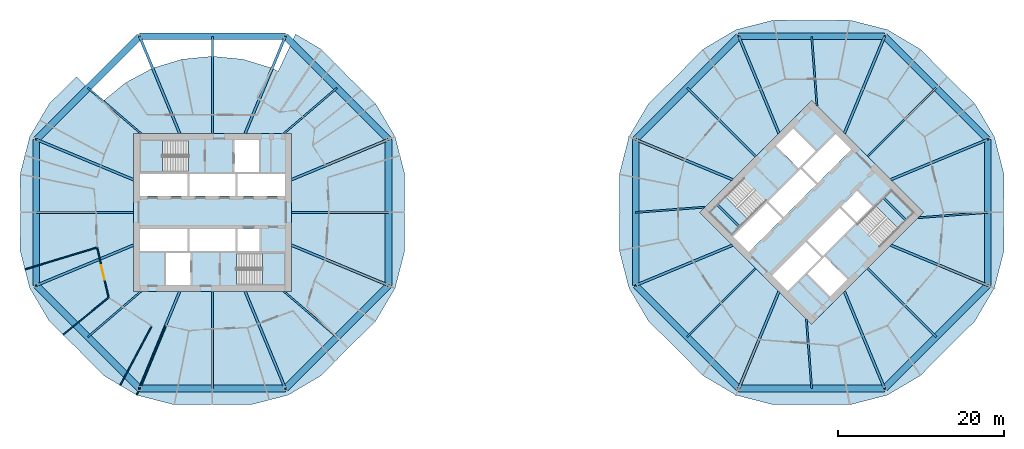
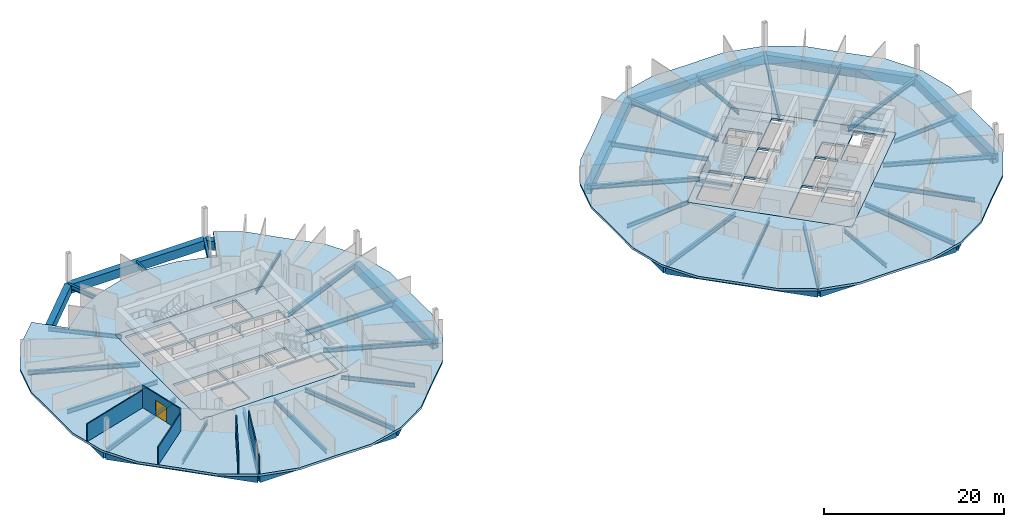
# One storey, part 3 of 10: 50 beams, 8 slabs, 5 walls, 1 door, 1 opening, 4 elements without a shape of their own.
"""IFC4 building model written with IfcOpenShell, lengths in metres."""

from ifc_helpers import new_model, si_unit, direction, frame, frame_2d, origin, origin_2d, place, context, subcontext, project, spatial, polyline, rectangle, hollow_rectangle, i_section, outline, extrude, material, layer, layer_set, material_profile, profile_set, type_object, element, fill, aggregate, save


model = new_model("IFC4")

# Units and contexts
model_context = context("Model", 3, precision=1e-05, world=origin(), true_north=direction((0.0, 1.0)))
body_context = subcontext(model_context, "Body", "Model", "MODEL_VIEW")
ifc_project = project(units=[si_unit("LENGTHUNIT", "METRE"), si_unit("AREAUNIT", "SQUARE_METRE"), si_unit("VOLUMEUNIT", "CUBIC_METRE"), si_unit("PLANEANGLEUNIT", "RADIAN"), si_unit("MASSUNIT", "GRAM", prefix="KILO")], contexts=[model_context])

# Site, building, storey
site_placement = place(None, origin())
site = spatial("IfcSite", under=ifc_project, at=site_placement, CompositionType="ELEMENT")
building_placement = place(site_placement, origin())
building = spatial("IfcBuilding", under=site, at=building_placement, Name="Ogive Gate Towers", CompositionType="ELEMENT")
storey_placement = place(building_placement, frame((0.0, 0.0, 59.699951171875)))
storey = spatial("IfcBuildingStorey", under=building, at=storey_placement, Name="L13", CompositionType="ELEMENT", Elevation=59.699951171875)

# Beams
ifc_material_1 = material(Name="Steel SM460", Category="steel")
ifc_material_profile_1 = material_profile(ifc_material_1, hollow_rectangle(XDim=0.800048828125, YDim=1.199951171875, WallThickness=0.050048828125, at=origin_2d()), Name="BX 1200x800x50")
ifc_profile_set_1 = profile_set([ifc_material_profile_1], Name="Steel SM460")
beam_type_1 = type_object("IfcBeamType", Name="Edge girder BX 1200x800x50", PredefinedType="BEAM", material=ifc_profile_set_1)
for number, where, z_axis, x_axis, name in (
    (1, (-57.15673828125, -8.763427734375, -0.89990234375), (0.707106781187, -0.707106781187, 0.0), (0.707106781187, 0.707106781187, 0.0), "T1/L13/SBM017"),
    (2, (-44.763427734375, -21.15673828125, -0.89990234375), (1.0, 0.0, 0.0), (0.0, 1.0, 0.0), "T1/L13/SBM018"),
    (3, (-27.236572265625, -21.15673828125, -0.89990234375), (0.707106781187, 0.707106781187, 0.0), (-0.707106781187, 0.707106781187, 0.0), "T1/L13/SBM019"),
    (4, (-14.84326171875, -8.763427734375, -0.89990234375), (0.0, 1.0, 0.0), (-1.0, 0.0, 0.0), "T1/L13/SBM020"),
    (5, (-14.84326171875, 8.763427734375, -0.89990234375), (-0.707106781187, 0.707106781187, 0.0), (-0.707106781187, -0.707106781187, 0.0), "T1/L13/SBM021"),
    (6, (-27.236572265625, 21.15673828125, -0.89990234375), (-1.0, 0.0, 0.0), (0.0, -1.0, 0.0), "T1/L13/SBM022"),
    (7, (-44.763427734375, 21.15673828125, -0.89990234375), (-0.707106781187, -0.707106781187, 0.0), (0.707106781187, -0.707106781187, 0.0), "T1/L13/SBM023"),
    (8, (-57.15673828125, 8.763427734375, -0.89990234375), (0.0, -1.0, 0.0), (1.0, 0.0, 0.0), "T1/L13/SBM024"),
    (9, (14.84326171875, -8.763427734375, -0.89990234375), (0.707106781187, -0.707106781187, 0.0), (0.707106781187, 0.707106781187, 0.0), "T2/L13/SBM017"),
    (10, (27.236572265625, -21.15673828125, -0.89990234375), (1.0, 0.0, 0.0), (0.0, 1.0, 0.0), "T2/L13/SBM018"),
    (11, (44.763427734375, -21.15673828125, -0.89990234375), (0.707106781187, 0.707106781187, 0.0), (-0.707106781187, 0.707106781187, 0.0), "T2/L13/SBM019"),
    (12, (57.15673828125, -8.763427734375, -0.89990234375), (0.0, 1.0, 0.0), (-1.0, 0.0, 0.0), "T2/L13/SBM020"),
    (13, (57.15673828125, 8.763427734375, -0.89990234375), (-0.707106781187, 0.707106781187, 0.0), (-0.707106781187, -0.707106781187, 0.0), "T2/L13/SBM021"),
    (14, (44.763427734375, 21.15673828125, -0.89990234375), (-1.0, 0.0, 0.0), (0.0, -1.0, 0.0), "T2/L13/SBM022"),
    (15, (27.236572265625, 21.15673828125, -0.89990234375), (-0.707106781187, -0.707106781187, 0.0), (0.707106781187, -0.707106781187, 0.0), "T2/L13/SBM023"),
    (16, (14.84326171875, 8.763427734375, -0.89990234375), (0.0, -1.0, 0.0), (1.0, 0.0, 0.0), "T2/L13/SBM024"),
):
    element("IfcBeam", number, at=place(storey_placement, frame(where, z_axis=z_axis, x_axis=x_axis)), inside=storey, type_object=beam_type_1, Name=name, PredefinedType="BEAM", context=body_context, shape_type="SweptSolid", body=[
        extrude(hollow_rectangle(XDim=0.800048828125, YDim=1.199951171875, WallThickness=0.050048828125, at=origin_2d()), origin(), (0.0, 0.0, 1.0), 17.52685546875),
    ])
ifc_material_2 = material(Name="Concrete C40/50", Category="concrete")
ifc_material_profile_2 = material_profile(ifc_material_2, rectangle(XDim=0.25, YDim=0.300048828125, at=origin_2d()), Name="RC 250x300")
ifc_profile_set_2 = profile_set([ifc_material_profile_2], Name="Concrete C40/50")
beam_type_2 = type_object("IfcBeamType", Name="Landing bearer RC 250x300", PredefinedType="BEAM", material=ifc_profile_set_2)
for number, where, z_axis, x_axis, name in (
    (17, (24.650390625, 0.9541015625, 1.60009765625), (0.707106781187, -0.707106781187, 0.0), (0.707106781187, 0.707106781187, 0.0), "T2 L13 stair 1 landing bearer 1"),
    (18, (47.349609375, -0.9541015625, 1.60009765625), (-0.707106781187, 0.707106781187, 0.0), (-0.707106781187, -0.707106781187, 0.0), "T2 L13 stair 2 landing bearer 1"),
):
    element("IfcBeam", number, at=place(storey_placement, frame(where, z_axis=z_axis, x_axis=x_axis)), inside=storey, type_object=beam_type_2, Name=name, PredefinedType="BEAM", context=body_context, shape_type="SweptSolid", body=[
        extrude(rectangle(XDim=0.25, YDim=0.300048828125, at=origin_2d()), origin(), (0.0, 0.0, 1.0), 3.824951171875),
    ])
ifc_material_3 = material(Name="Steel SM355", Category="steel")
ifc_material_profile_3 = material_profile(ifc_material_3, i_section(OverallWidth=0.300048828125, OverallDepth=0.590087890625, WebThickness=0.012939453125, FlangeThickness=0.02490234375, FilletRadius=0.027099609375, at=origin_2d()), Name="HE 600 A")
ifc_profile_set_3 = profile_set([ifc_material_profile_3], Name="Steel SM355")
beam_type_3 = type_object("IfcBeamType", Name="Radial floor beam HE 600 A", PredefinedType="BEAM", material=ifc_profile_set_3)
for number, where, z_axis, x_axis, name in (
    (19, (-45.5, -3.93505859375, -0.594970703125), (-0.923879811284, -0.382682759347, 0.0), (0.382682759347, -0.923879811284, 0.0), "T1/L13/SBM001"),
    (20, (-39.93505859375, -9.5, -0.594970703125), (-0.382682759347, -0.923879811284, 0.0), (0.923879811284, -0.382682759347, 0.0), "T1/L13/SBM003"),
    (21, (-32.06494140625, -9.5, -0.594970703125), (0.382682759347, -0.923879811284, 0.0), (0.923879811284, 0.382682759347, 0.0), "T1/L13/SBM005"),
    (22, (-26.5, -3.93505859375, -0.594970703125), (0.923879811284, -0.382682759347, 0.0), (0.382682759347, 0.923879811284, 0.0), "T1/L13/SBM007"),
    (23, (-26.5, 3.93505859375, -0.594970703125), (0.923879811284, 0.382682759347, 0.0), (-0.382682759347, 0.923879811284, 0.0), "T1/L13/SBM009"),
    (24, (-32.06494140625, 9.5, -0.594970703125), (0.382682759347, 0.923879811284, 0.0), (-0.923879811284, 0.382682759347, 0.0), "T1/L13/SBM011"),
    (25, (-39.93505859375, 9.5, -0.594970703125), (-0.382682759347, 0.923879811284, 0.0), (-0.923879811284, -0.382682759347, 0.0), "T1/L13/SBM013"),
    (26, (-45.5, 3.93505859375, -0.594970703125), (-0.923879811284, 0.382682759347, 0.0), (-0.382682759347, -0.923879811284, 0.0), "T1/L13/SBM015"),
    (27, (26.5, -3.93505859375, -0.594970703125), (-0.923879811284, -0.382682759347, 0.0), (0.382682759347, -0.923879811284, 0.0), "T2/L13/SBM001"),
    (28, (32.06494140625, -9.5, -0.594970703125), (-0.382682759347, -0.923879811284, 0.0), (0.923879811284, -0.382682759347, 0.0), "T2/L13/SBM003"),
    (29, (39.93505859375, -9.5, -0.594970703125), (0.382682759347, -0.923879811284, 0.0), (0.923879811284, 0.382682759347, 0.0), "T2/L13/SBM005"),
    (30, (45.5, -3.93505859375, -0.594970703125), (0.923879811284, -0.382682759347, 0.0), (0.382682759347, 0.923879811284, 0.0), "T2/L13/SBM007"),
    (31, (45.5, 3.93505859375, -0.594970703125), (0.923879811284, 0.382682759347, 0.0), (-0.382682759347, 0.923879811284, 0.0), "T2/L13/SBM009"),
    (32, (39.93505859375, 9.5, -0.594970703125), (0.382682759347, 0.923879811284, 0.0), (-0.923879811284, 0.382682759347, 0.0), "T2/L13/SBM011"),
    (33, (32.06494140625, 9.5, -0.594970703125), (-0.382682759347, 0.923879811284, 0.0), (-0.923879811284, -0.382682759347, 0.0), "T2/L13/SBM013"),
    (34, (26.5, 3.93505859375, -0.594970703125), (-0.923879811284, 0.382682759347, 0.0), (-0.382682759347, -0.923879811284, 0.0), "T2/L13/SBM015"),
):
    element("IfcBeam", number, at=place(storey_placement, frame(where, z_axis=z_axis, x_axis=x_axis)), inside=storey, type_object=beam_type_3, Name=name, PredefinedType="BEAM", context=body_context, shape_type="SweptSolid", body=[
        extrude(i_section(OverallWidth=0.300048828125, OverallDepth=0.590087890625, WebThickness=0.012939453125, FlangeThickness=0.02490234375, FilletRadius=0.027099609375, at=origin_2d()), origin(), (0.0, 0.0, 1.0), 12.6171875),
    ])
ifc_material_profile_4 = material_profile(ifc_material_3, i_section(OverallWidth=0.2099609375, OverallDepth=0.550048828125, WebThickness=0.010986328125, FlangeThickness=0.01708984375, FilletRadius=0.02392578125, at=origin_2d()), Name="IPE 550")
ifc_profile_set_4 = profile_set([ifc_material_profile_4], Name="Steel SM355")
beam_type_4 = type_object("IfcBeamType", Name="Radial floor beam IPE 550", PredefinedType="BEAM", material=ifc_profile_set_4)
for number, where, z_axis, x_axis, name in (
    (35, (-44.60009765625, -9.5, -0.574951171875), (-0.75874444664, -0.651388413078, 0.0), (0.651388413078, -0.75874444664, 0.0), "T1/L13/SBM002"),
    (36, (-27.39990234375, -9.5, -0.574951171875), (0.75874444664, -0.651388413078, 0.0), (0.651388413078, 0.75874444664, 0.0), "T1/L13/SBM006"),
    (37, (-27.39990234375, 9.5, -0.574951171875), (0.75874444664, 0.651388413078, 0.0), (-0.651388413078, 0.75874444664, 0.0), "T1/L13/SBM010"),
    (38, (-44.60009765625, 9.5, -0.574951171875), (-0.75874444664, 0.651388413078, 0.0), (-0.651388413078, -0.75874444664, 0.0), "T1/L13/SBM014"),
    (39, (35.363525390625, -12.798583984375, -0.574951171875), (0.075930303007, -0.997113127526, 0.0), (0.997113127526, 0.075930303007, 0.0), "T2/L13/SBM004"),
    (40, (48.798583984375, -0.636474609375, -0.574951171875), (0.997113127526, 0.075930303007, 0.0), (-0.075930303007, 0.997113127526, 0.0), "T2/L13/SBM008"),
    (41, (36.636474609375, 12.798583984375, -0.574951171875), (-0.075930303007, 0.997113127526, 0.0), (-0.997113127526, -0.075930303007, 0.0), "T2/L13/SBM012"),
    (42, (23.201416015625, 0.636474609375, -0.574951171875), (-0.997113127526, -0.075930303007, 0.0), (0.075930303007, -0.997113127526, 0.0), "T2/L13/SBM016"),
):
    element("IfcBeam", number, at=place(storey_placement, frame(where, z_axis=z_axis, x_axis=x_axis)), inside=storey, type_object=beam_type_4, Name=name, PredefinedType="BEAM", context=body_context, shape_type="SweptSolid", body=[
        extrude(i_section(OverallWidth=0.2099609375, OverallDepth=0.550048828125, WebThickness=0.010986328125, FlangeThickness=0.01708984375, FilletRadius=0.02392578125, at=origin_2d()), origin(), (0.0, 0.0, 1.0), 8.38232421875),
    ])
ifc_material_profile_5 = material_profile(ifc_material_3, i_section(OverallWidth=0.219970703125, OverallDepth=0.60009765625, WebThickness=0.011962890625, FlangeThickness=0.01904296875, FilletRadius=0.02392578125, at=origin_2d()), Name="IPE 600")
ifc_profile_set_5 = profile_set([ifc_material_profile_5], Name="Steel SM355")
beam_type_5 = type_object("IfcBeamType", Name="Radial floor beam IPE 600", PredefinedType="BEAM", material=ifc_profile_set_5)
for number, where, z_axis, x_axis, name in (
    (43, (-36.0, -9.5, -0.599853515625), (0.0, -1.0, 0.0), (1.0, 0.0, 0.0), "T1/L13/SBM004"),
    (44, (-26.5, 0.0, -0.599853515625), (1.0, 0.0, 0.0), (0.0, 1.0, 0.0), "T1/L13/SBM008"),
    (45, (-36.0, 9.5, -0.599853515625), (0.0, 1.0, 0.0), (-1.0, 0.0, 0.0), "T1/L13/SBM012"),
    (46, (-45.5, 0.0, -0.599853515625), (-1.0, 0.0, 0.0), (0.0, -1.0, 0.0), "T1/L13/SBM016"),
):
    element("IfcBeam", number, at=place(storey_placement, frame(where, z_axis=z_axis, x_axis=x_axis)), inside=storey, type_object=beam_type_5, Name=name, PredefinedType="BEAM", context=body_context, shape_type="SweptSolid", body=[
        extrude(i_section(OverallWidth=0.219970703125, OverallDepth=0.60009765625, WebThickness=0.011962890625, FlangeThickness=0.01904296875, FilletRadius=0.02392578125, at=origin_2d()), origin(), (0.0, 0.0, 1.0), 11.65673828125),
    ])
for number, where, z_axis, x_axis, name in (
    (47, (29.282470703125, -6.717529296875, -0.599853515625), (-0.707106781187, -0.707106781187, 0.0), (0.707106781187, -0.707106781187, 0.0), "T2/L13/SBM002"),
    (48, (42.717529296875, -6.717529296875, -0.599853515625), (0.707106781187, -0.707106781187, 0.0), (0.707106781187, 0.707106781187, 0.0), "T2/L13/SBM006"),
    (49, (42.717529296875, 6.717529296875, -0.599853515625), (0.707106781187, 0.707106781187, 0.0), (-0.707106781187, 0.707106781187, 0.0), "T2/L13/SBM010"),
    (50, (29.282470703125, 6.717529296875, -0.599853515625), (-0.707106781187, 0.707106781187, 0.0), (-0.707106781187, -0.707106781187, 0.0), "T2/L13/SBM014"),
):
    element("IfcBeam", number, at=place(storey_placement, frame(where, z_axis=z_axis, x_axis=x_axis)), inside=storey, type_object=beam_type_5, Name=name, PredefinedType="BEAM", context=body_context, shape_type="SweptSolid", body=[
        extrude(i_section(OverallWidth=0.219970703125, OverallDepth=0.60009765625, WebThickness=0.011962890625, FlangeThickness=0.01904296875, FilletRadius=0.02392578125, at=origin_2d()), origin(), (0.0, 0.0, 1.0), 11.656982421875),
    ])

# Slabs
ifc_layer_1 = layer(ifc_material_2, 0.300048828125)
ifc_layer_set_1 = layer_set([ifc_layer_1], Name="Core slab C40/50 300 mm")
slab_type_1 = type_object("IfcSlabType", Name="Core slab C40/50 300 mm", PredefinedType="FLOOR", material=ifc_layer_set_1)
slab_1_placement = place(storey_placement, frame((0.0, 0.0, -0.300048828125)))
element("IfcSlab", 51, at=slab_1_placement, inside=storey, type_object=slab_type_1, Name="T1 L13 core slab", PredefinedType="FLOOR", context=body_context, shape_type="SweptSolid", body=[
    extrude(outline(polyline([(-26.5, 9.5), (-26.5, -9.5), (-45.5, -9.5), (-45.5, 9.5), (-26.5, 9.5)]), holes=[polyline([(-39.02490234375, 4.625), (-44.699951171875, 4.625), (-44.699951171875, 2.0), (-39.02490234375, 2.0), (-39.02490234375, 4.625)]), polyline([(-33.22509765625, 2.0), (-33.22509765625, 4.625), (-38.77490234375, 4.625), (-38.77490234375, 2.0), (-33.22509765625, 2.0)]), polyline([(-32.97509765625, 2.0), (-27.300048828125, 2.0), (-27.300048828125, 4.625), (-32.97509765625, 4.625), (-32.97509765625, 2.0)]), polyline([(-44.699951171875, -2.0), (-44.699951171875, -4.625), (-39.02490234375, -4.625), (-39.02490234375, -2.0), (-44.699951171875, -2.0)]), polyline([(-33.22509765625, -2.0), (-38.77490234375, -2.0), (-38.77490234375, -4.625), (-33.22509765625, -4.625), (-33.22509765625, -2.0)]), polyline([(-30.324951171875, -4.625), (-30.324951171875, -2.0), (-32.97509765625, -2.0), (-32.97509765625, -4.625), (-30.324951171875, -4.625)]), polyline([(-33.375, 4.875), (-30.425048828125, 4.875), (-30.425048828125, 8.699951171875), (-33.375, 8.699951171875), (-33.375, 4.875)]), polyline([(-41.574951171875, -4.875), (-41.574951171875, -8.699951171875), (-38.625, -8.699951171875), (-38.625, -4.875), (-41.574951171875, -4.875)]), polyline([(-44.699951171875, 4.875), (-38.885009765625, 4.875), (-38.885009765625, 8.699951171875), (-44.699951171875, 8.699951171875), (-44.699951171875, 4.875)]), polyline([(-27.300048828125, -8.699951171875), (-27.300048828125, -4.875), (-33.114990234375, -4.875), (-33.114990234375, -8.699951171875), (-27.300048828125, -8.699951171875)])]), origin(), (0.0, 0.0, 1.0), 0.300048828125),
])
slab_2_placement = place(storey_placement, frame((0.0, 0.0, -0.300048828125)))
element("IfcSlab", 52, at=slab_2_placement, inside=storey, type_object=slab_type_1, Name="T2 L13 core slab", PredefinedType="FLOOR", context=body_context, shape_type="SweptSolid", body=[
    extrude(outline(polyline([(36.0, 13.43505859375), (49.43505859375, 0.0), (36.0, -13.43505859375), (22.56494140625, 0.0), (36.0, 13.43505859375)]), holes=[polyline([(30.590576171875, 1.13134765625), (26.577880859375, -2.881591796875), (28.43408203125, -4.737548828125), (32.44677734375, -0.724853515625), (30.590576171875, 1.13134765625)]), polyline([(36.548095703125, 3.37646484375), (34.69189453125, 5.232666015625), (30.767333984375, 1.30810546875), (32.62353515625, -0.548095703125), (36.548095703125, 3.37646484375)]), polyline([(36.724853515625, 3.55322265625), (40.737548828125, 7.56591796875), (38.881591796875, 9.422119140625), (34.86865234375, 5.409423828125), (36.724853515625, 3.55322265625)]), polyline([(31.262451171875, -7.56591796875), (33.118408203125, -9.422119140625), (37.13134765625, -5.409423828125), (35.275146484375, -3.55322265625), (31.262451171875, -7.56591796875)]), polyline([(39.37646484375, 0.548095703125), (35.451904296875, -3.37646484375), (37.30810546875, -5.232666015625), (41.232666015625, -1.30810546875), (39.37646484375, 0.548095703125)]), polyline([(43.283203125, 0.742431640625), (41.427001953125, 2.5986328125), (39.55322265625, 0.724853515625), (41.409423828125, -1.13134765625), (43.283203125, 0.742431640625)]), polyline([(34.408935546875, 5.30322265625), (36.4951171875, 7.389404296875), (33.790283203125, 10.093994140625), (31.704345703125, 8.008056640625), (34.408935546875, 5.30322265625)]), polyline([(35.5048828125, -7.389404296875), (38.209716796875, -10.093994140625), (40.295654296875, -8.008056640625), (37.591064453125, -5.30322265625), (35.5048828125, -7.389404296875)]), polyline([(26.40087890625, -2.70458984375), (30.512939453125, 1.406982421875), (27.80810546875, 4.11181640625), (23.6962890625, 0.0), (26.40087890625, -2.70458984375)]), polyline([(48.3037109375, 0.0), (45.59912109375, 2.70458984375), (41.487060546875, -1.406982421875), (44.19189453125, -4.11181640625), (48.3037109375, 0.0)])]), origin(), (0.0, 0.0, 1.0), 0.300048828125),
])
ifc_material_4 = material(Name="Concrete C35/45", Category="concrete")
ifc_layer_2 = layer(ifc_material_4, 0.300048828125)
ifc_layer_set_2 = layer_set([ifc_layer_2], Name="Floor slab 300")
slab_type_2 = type_object("IfcSlabType", Name="Floor slab 300", PredefinedType="FLOOR", material=ifc_layer_set_2)
slab_3_placement = place(storey_placement, frame((0.0, 0.0, -0.300048828125)))
element("IfcSlab", 53, at=slab_3_placement, inside=storey, type_object=slab_type_2, Name="T1/L13/SSL001", PredefinedType="FLOOR", context=body_context, shape_type="SweptSolid", body=[
    extrude(outline(polyline([(-19.694091796875, 16.305908203125), (-22.91064453125, 19.58935546875), (-26.907470703125, 21.951416015625), (-26.010986328125, 21.421630859375), (-28.09814453125, 16.945556640625), (-28.82080078125, 17.33203125), (-32.340087890625, 18.3994140625), (-36.0, 18.760009765625), (-39.659912109375, 18.3994140625), (-43.17919921875, 17.33203125), (-46.422607421875, 15.598388671875), (-49.265380859375, 13.265380859375), (-52.305908203125, 16.305908203125), (-55.58935546875, 13.08935546875), (-57.951416015625, 9.092529296875), (-59.107421875, 4.596435546875), (-59.06005859375, 0.0), (-59.107421875, -4.596435546875), (-57.951416015625, -9.092529296875), (-55.58935546875, -13.08935546875), (-52.305908203125, -16.305908203125), (-49.08935546875, -19.58935546875), (-45.092529296875, -21.951416015625), (-40.596435546875, -23.107421875), (-36.0, -23.06005859375), (-31.403564453125, -23.107421875), (-26.907470703125, -21.951416015625), (-22.91064453125, -19.58935546875), (-19.694091796875, -16.305908203125), (-16.41064453125, -13.08935546875), (-14.048583984375, -9.092529296875), (-12.892578125, -4.596435546875), (-12.93994140625, 0.0), (-12.892578125, 4.596435546875), (-14.048583984375, 9.092529296875), (-16.41064453125, 13.08935546875), (-19.694091796875, 16.305908203125)]), holes=[polyline([(-26.5, -9.5), (-45.5, -9.5), (-45.5, 9.5), (-26.5, 9.5), (-26.5, -9.5)])]), origin(), (0.0, 0.0, 1.0), 0.300048828125),
])
slab_4_placement = place(storey_placement, frame((0.0, 0.0, -0.300048828125)))
element("IfcSlab", 54, at=slab_4_placement, inside=storey, type_object=slab_type_2, Name="T2/L13/SSL001", PredefinedType="FLOOR", context=body_context, shape_type="SweptSolid", body=[
    extrude(outline(polyline([(59.107421875, -4.596435546875), (59.06005859375, 0.0), (59.107421875, 4.596435546875), (57.951416015625, 9.092529296875), (55.58935546875, 13.08935546875), (52.305908203125, 16.305908203125), (49.08935546875, 19.58935546875), (45.092529296875, 21.951416015625), (40.596435546875, 23.107421875), (36.0, 23.06005859375), (31.403564453125, 23.107421875), (26.907470703125, 21.951416015625), (22.91064453125, 19.58935546875), (19.694091796875, 16.305908203125), (16.41064453125, 13.08935546875), (14.048583984375, 9.092529296875), (12.892578125, 4.596435546875), (12.93994140625, 0.0), (12.892578125, -4.596435546875), (14.048583984375, -9.092529296875), (16.41064453125, -13.08935546875), (19.694091796875, -16.305908203125), (22.91064453125, -19.58935546875), (26.907470703125, -21.951416015625), (31.403564453125, -23.107421875), (36.0, -23.06005859375), (40.596435546875, -23.107421875), (45.092529296875, -21.951416015625), (49.08935546875, -19.58935546875), (52.305908203125, -16.305908203125), (55.58935546875, -13.08935546875), (57.951416015625, -9.092529296875), (59.107421875, -4.596435546875)]), holes=[polyline([(49.43505859375, 0.0), (36.0, -13.43505859375), (22.56494140625, 0.0), (36.0, 13.43505859375), (49.43505859375, 0.0)])]), origin(), (0.0, 0.0, 1.0), 0.300048828125),
])

# Stair, slab
stair_type = type_object("IfcStairType", Name="Escape stair 1840 wide", PredefinedType="HALF_TURN_STAIR", material=ifc_material_2)
stair_1_placement = place(storey_placement, origin())
stair_1 = element("IfcStair", 55, at=stair_1_placement, inside=storey, type_object=stair_type, Name="L13 Escape stair 1", PredefinedType="HALF_TURN_STAIR")
ifc_layer_3 = layer(ifc_material_2, 0.199951171875)
ifc_layer_set_3 = layer_set([ifc_layer_3], Name="Stair landing 200 mm")
slab_type_3 = type_object("IfcSlabType", Name="Stair landing 200 mm", PredefinedType="LANDING", material=ifc_layer_set_3)
slab_5_placement = place(storey_placement, frame((0.0, 0.0, 1.75)))
slab_5 = element("IfcSlab", 56, at=slab_5_placement, type_object=slab_type_3, Name="ST1 landing 1", PredefinedType="LANDING", context=body_context, shape_type="SweptSolid", body=[
    extrude(outline(polyline([(-42.00146484375, 8.699951171875), (-44.699951171875, 8.699951171875), (-44.699951171875, 4.875), (-42.00146484375, 4.875), (-42.00146484375, 8.699951171875)])), origin(), (0.0, 0.0, 1.0), 0.199951171875),
])
aggregate(stair_1, [slab_5])

stair_2_placement = place(storey_placement, origin())
stair_2 = element("IfcStair", 57, at=stair_2_placement, inside=storey, type_object=stair_type, Name="L13 Escape stair 2", PredefinedType="HALF_TURN_STAIR")
slab_6_placement = place(storey_placement, frame((0.0, 0.0, 1.75)))
slab_6 = element("IfcSlab", 58, at=slab_6_placement, type_object=slab_type_3, Name="ST2 landing 1", PredefinedType="LANDING", context=body_context, shape_type="SweptSolid", body=[
    extrude(outline(polyline([(-29.99853515625, -8.699951171875), (-27.300048828125, -8.699951171875), (-27.300048828125, -4.875), (-29.99853515625, -4.875), (-29.99853515625, -8.699951171875)])), origin(), (0.0, 0.0, 1.0), 0.199951171875),
])
aggregate(stair_2, [slab_6])

stair_3_placement = place(storey_placement, origin())
stair_3 = element("IfcStair", 59, at=stair_3_placement, inside=storey, type_object=stair_type, Name="L13 Escape stair 1", PredefinedType="HALF_TURN_STAIR")
slab_7_placement = place(storey_placement, frame((0.0, 0.0, 1.75)))
slab_7 = element("IfcSlab", 60, at=slab_7_placement, type_object=slab_type_3, Name="ST1 landing 1", PredefinedType="LANDING", context=body_context, shape_type="SweptSolid", body=[
    extrude(outline(polyline([(25.6044921875, 1.908203125), (23.6962890625, 0.0), (26.401123046875, -2.70458984375), (28.309326171875, -0.79638671875), (25.6044921875, 1.908203125)])), origin(), (0.0, 0.0, 1.0), 0.199951171875),
])
aggregate(stair_3, [slab_7])

stair_4_placement = place(storey_placement, origin())
stair_4 = element("IfcStair", 61, at=stair_4_placement, inside=storey, type_object=stair_type, Name="L13 Escape stair 2", PredefinedType="HALF_TURN_STAIR")
slab_8_placement = place(storey_placement, frame((0.0, 0.0, 1.75)))
slab_8 = element("IfcSlab", 62, at=slab_8_placement, type_object=slab_type_3, Name="ST2 landing 1", PredefinedType="LANDING", context=body_context, shape_type="SweptSolid", body=[
    extrude(outline(polyline([(46.3955078125, -1.908203125), (48.3037109375, 0.0), (45.598876953125, 2.70458984375), (43.690673828125, 0.79638671875), (46.3955078125, -1.908203125)])), origin(), (0.0, 0.0, 1.0), 0.199951171875),
])
aggregate(stair_4, [slab_8])

# Walls
ifc_material_5 = material(Name="Gypsum board partition")
ifc_layer_4 = layer(ifc_material_5, 0.125)
ifc_layer_set_4 = layer_set([ifc_layer_4], Name="Partition 125")
wall_type = type_object("IfcWallType", Name="Partition 125", PredefinedType="PARTITIONING", material=ifc_layer_set_4)
wall_1_placement = place(storey_placement, frame((-58.529541015625, -6.840576171875, 0.0), z_axis=(0.0, 0.0, 1.0), x_axis=(0.956863756585, 0.290537005102, 0.0)))
element("IfcWall", 63, at=wall_1_placement, inside=storey, type_object=wall_type, Name="Partition T1-L13-017", PredefinedType="PARTITIONING", context=body_context, shape_type="SweptSolid", body=[
    extrude(rectangle(XDim=9.00634765625, YDim=0.125, at=frame_2d((4.503173828125, 0.0))), origin(), (0.0, 0.0, 1.0), 2.400146484375),
])
wall_2_placement = place(storey_placement, frame((-53.944580078125, -14.699951171875, 0.0), z_axis=(0.0, 0.0, 1.0), x_axis=(0.77358922825, 0.633687388178, 0.0)))
element("IfcWall", 64, at=wall_2_placement, inside=storey, type_object=wall_type, Name="Partition T1-L13-018", PredefinedType="PARTITIONING", context=body_context, shape_type="SweptSolid", body=[
    extrude(rectangle(XDim=7.006591796875, YDim=0.125, at=frame_2d((3.50341796875, 0.0))), origin(), (0.0, 0.0, 1.0), 2.400146484375),
])
wall_3_placement = place(storey_placement, frame((-47.09375, -20.767578125, 0.0), z_axis=(0.0, 0.0, 1.0), x_axis=(0.471189559969, 0.882031971402, 0.0)))
element("IfcWall", 65, at=wall_3_placement, inside=storey, type_object=wall_type, Name="Partition T1-L13-019", PredefinedType="PARTITIONING", context=body_context, shape_type="SweptSolid", body=[
    extrude(rectangle(XDim=8.00634765625, YDim=0.125, at=frame_2d((4.003173828125, 0.0))), origin(), (0.0, 0.0, 1.0), 2.400146484375),
])
wall_4_placement = place(storey_placement, frame((-45.092529296875, -21.951416015625, 0.0), z_axis=(0.0, 0.0, 1.0), x_axis=(0.382678188575, 0.923881704543, 0.0)))
element("IfcWall", 66, at=wall_4_placement, inside=storey, type_object=wall_type, Name="Partition T1-L13-020", PredefinedType="PARTITIONING", context=body_context, shape_type="SweptSolid", body=[
    extrude(rectangle(XDim=9.00634765625, YDim=0.125, at=frame_2d((4.503173828125, 0.0))), origin(), (0.0, 0.0, 1.0), 2.400146484375),
])

# Wall, opening, door
wall_5_placement = place(storey_placement, frame((-48.476318359375, -10.22021484375, 0.0), z_axis=(0.0, 0.0, 1.0), x_axis=(-0.222942990969, 0.974831484297, 0.0)))
wall_5 = element("IfcWall", 67, at=wall_5_placement, inside=storey, type_object=wall_type, Name="Partition T1-L13-046", PredefinedType="PARTITIONING", context=body_context, shape_type="SweptSolid", body=[
    extrude(rectangle(XDim=6.169677734375, YDim=0.125, at=frame_2d((3.0849609375, 0.0))), origin(), (0.0, 0.0, 1.0), 3.010009765625),
])
opening_placement = place(wall_5_placement, frame((2.18505859375, 0.0, 0.0)))
opening = element("IfcOpeningElement", 68, at=opening_placement, cuts=wall_5, Name="Opening T1-L13-D19", PredefinedType="OPENING", context=body_context, shape_type="SweptSolid", body=[
    extrude(rectangle(XDim=1.800048828125, YDim=2.10009765625, at=frame_2d((0.89990234375, 1.050048828125))), frame((0.0, 0.072509765625, 0.0), z_axis=(0.0, -1.0, 0.0), x_axis=(1.0, 0.0, 0.0)), (0.0, 0.0, 1.0), 0.14501953125),
])
ifc_material_6 = material(Name="Timber door", Category="wood")
door_type = type_object("IfcDoorType", Name="Door pair 1800", OperationType="NOTDEFINED", PredefinedType="DOOR", material=ifc_material_6)
door_placement = place(opening_placement, origin())
door = element("IfcDoor", 69, at=door_placement, inside=storey, type_object=door_type, Name="Door T1-L13-D19", OperationType="DOUBLE_DOOR_DOUBLE_SWING", OverallHeight=2.10009765625, OverallWidth=1.800048828125, PredefinedType="DOOR", context=body_context, shape_type="SweptSolid", body=[
    extrude(rectangle(XDim=1.800048828125, YDim=2.10009765625, at=frame_2d((0.89990234375, 1.050048828125))), frame((0.0, 0.02490234375, 0.0), z_axis=(0.0, -1.0, 0.0), x_axis=(1.0, 0.0, 0.0)), (0.0, 0.0, 1.0), 0.050048828125),
])
fill(opening, door)

save(model, "model.ifc")
